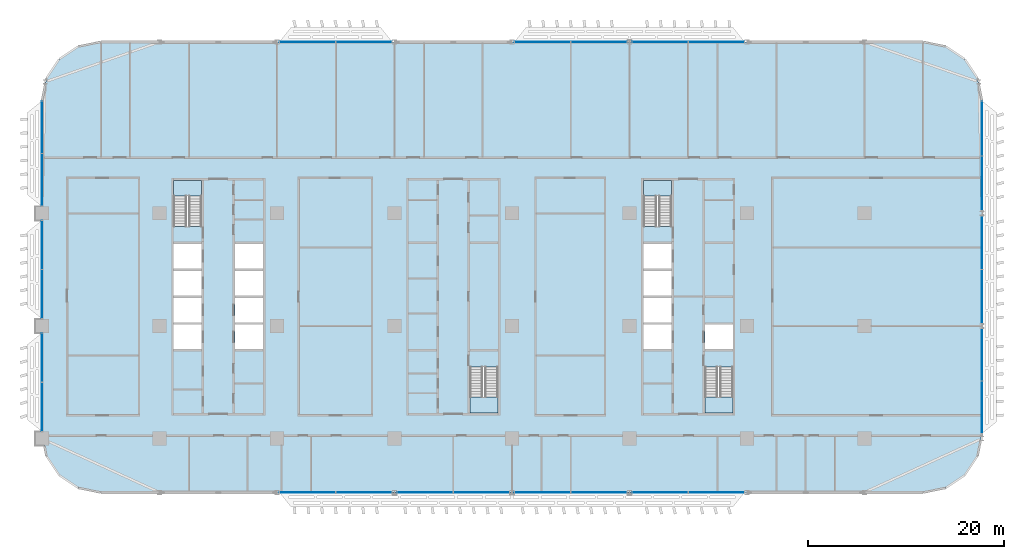
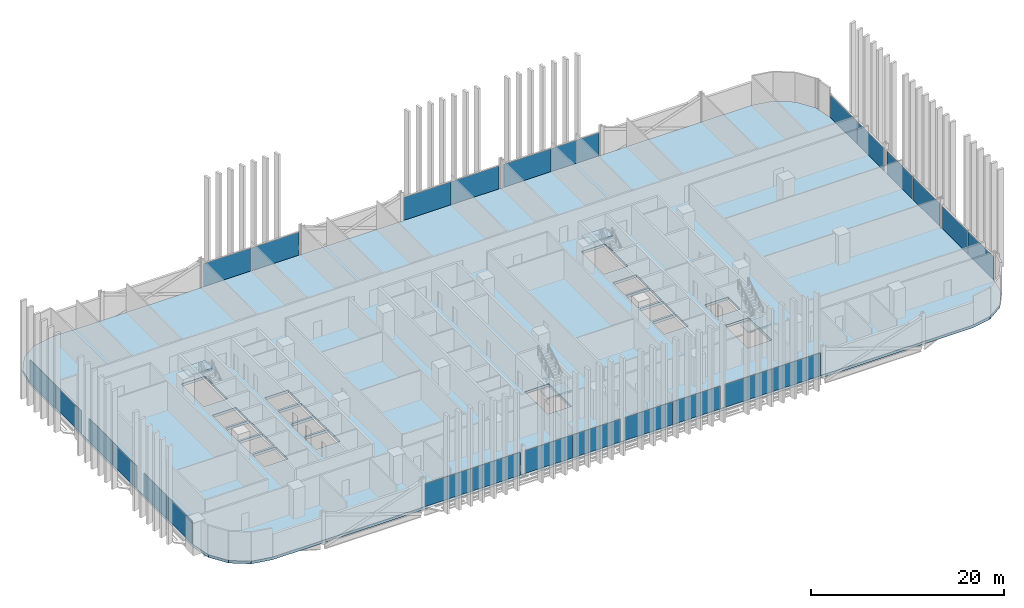
# One storey, part 11 of 31: 26 plates, 5 slabs, 17 elements without a shape of their own.
"""IFC4 building model written with IfcOpenShell, lengths in metres."""

from ifc_helpers import new_model, si_unit, direction, frame, origin, origin_2d, place, context, subcontext, project, spatial, polyline, rectangle, outline, extrude, material, layer, layer_set, type_object, element, aggregate, save


model = new_model("IFC4")

# Units and contexts
model_context = context("Model", 3, precision=1e-05, world=origin(), true_north=direction((0.0, 1.0)))
body_context = subcontext(model_context, "Body", "Model", "MODEL_VIEW")
ifc_project = project(units=[si_unit("LENGTHUNIT", "METRE"), si_unit("AREAUNIT", "SQUARE_METRE"), si_unit("VOLUMEUNIT", "CUBIC_METRE"), si_unit("PLANEANGLEUNIT", "RADIAN"), si_unit("MASSUNIT", "GRAM", prefix="KILO")], contexts=[model_context])

# Site, building, storey
site_placement = place(None, origin())
site = spatial("IfcSite", under=ifc_project, at=site_placement, CompositionType="ELEMENT")
building_placement = place(site_placement, origin())
building = spatial("IfcBuilding", under=site, at=building_placement, Name="Mahtab Terrace Research Tower", CompositionType="ELEMENT")
storey_placement = place(building_placement, frame((0.0, 0.0, 101.199951171875)))
storey = spatial("IfcBuildingStorey", under=building, at=storey_placement, Name="L23", CompositionType="ELEMENT", Elevation=101.199951171875)

# Stair, slab
ifc_material_1 = material(Name="Exit stair half-turn")
stair_type = type_object("IfcStairType", Name="Exit stair half-turn", PredefinedType="HALF_TURN_STAIR", material=ifc_material_1)
stair_1_placement = place(storey_placement, origin())
stair_1 = element("IfcStair", 1, at=stair_1_placement, inside=storey, type_object=stair_type, Name="L23 Protected exit stair ST1", PredefinedType="HALF_TURN_STAIR")
ifc_material_2 = material(Name="Concrete C40/50", Category="concrete")
ifc_layer_1 = layer(ifc_material_2, 0.199951171875)
ifc_layer_set_1 = layer_set([ifc_layer_1], Name="Exit stair landing 200")
slab_type_1 = type_object("IfcSlabType", Name="Exit stair landing 200", PredefinedType="LANDING", material=ifc_layer_set_1)
slab_1_placement = place(storey_placement, frame((0.0, 0.0, 1.85009765625)))
slab_1 = element("IfcSlab", 2, at=slab_1_placement, type_object=slab_type_1, Name="ST1 landing 1", PredefinedType="LANDING", context=body_context, shape_type="SweptSolid", body=[
    extrude(outline(polyline([(-25.699951171875, 13.2548828125), (-25.699951171875, 14.875), (-28.550048828125, 14.875), (-28.550048828125, 13.2548828125), (-25.699951171875, 13.2548828125)])), origin(), (0.0, 0.0, 1.0), 0.199951171875),
])
aggregate(stair_1, [slab_1])

stair_2_placement = place(storey_placement, origin())
stair_2 = element("IfcStair", 3, at=stair_2_placement, inside=storey, type_object=stair_type, Name="L23 Protected exit stair ST2", PredefinedType="HALF_TURN_STAIR")
slab_2_placement = place(storey_placement, frame((0.0, 0.0, 1.85009765625)))
slab_2 = element("IfcSlab", 4, at=slab_2_placement, type_object=slab_type_1, Name="ST2 landing 1", PredefinedType="LANDING", context=body_context, shape_type="SweptSolid", body=[
    extrude(outline(polyline([(1.699951171875, -7.2548828125), (1.699951171875, -8.875), (4.550048828125, -8.875), (4.550048828125, -7.2548828125), (1.699951171875, -7.2548828125)])), origin(), (0.0, 0.0, 1.0), 0.199951171875),
])
aggregate(stair_2, [slab_2])

stair_3_placement = place(storey_placement, origin())
stair_3 = element("IfcStair", 5, at=stair_3_placement, inside=storey, type_object=stair_type, Name="L23 Protected exit stair ST3", PredefinedType="HALF_TURN_STAIR")
slab_3_placement = place(storey_placement, frame((0.0, 0.0, 1.85009765625)))
slab_3 = element("IfcSlab", 6, at=slab_3_placement, type_object=slab_type_1, Name="ST3 landing 1", PredefinedType="LANDING", context=body_context, shape_type="SweptSolid", body=[
    extrude(outline(polyline([(22.300048828125, 13.2548828125), (22.300048828125, 14.875), (19.449951171875, 14.875), (19.449951171875, 13.2548828125), (22.300048828125, 13.2548828125)])), origin(), (0.0, 0.0, 1.0), 0.199951171875),
])
aggregate(stair_3, [slab_3])

stair_4_placement = place(storey_placement, origin())
stair_4 = element("IfcStair", 7, at=stair_4_placement, inside=storey, type_object=stair_type, Name="L23 Protected exit stair ST4", PredefinedType="HALF_TURN_STAIR")
slab_4_placement = place(storey_placement, frame((0.0, 0.0, 1.85009765625)))
slab_4 = element("IfcSlab", 8, at=slab_4_placement, type_object=slab_type_1, Name="ST4 landing 1", PredefinedType="LANDING", context=body_context, shape_type="SweptSolid", body=[
    extrude(outline(polyline([(25.699951171875, -7.2548828125), (25.699951171875, -8.875), (28.550048828125, -8.875), (28.550048828125, -7.2548828125), (25.699951171875, -7.2548828125)])), origin(), (0.0, 0.0, 1.0), 0.199951171875),
])
aggregate(stair_4, [slab_4])

# Curtain wall, plates
ifc_material_3 = material(Name="Laboratory ribbon curtain wall")
curtain_wall_type = type_object("IfcCurtainWallType", Name="Laboratory ribbon curtain wall", PredefinedType="NOTDEFINED", material=ifc_material_3)
curtain_wall_1_placement = place(storey_placement, origin())
curtain_wall_1 = element("IfcCurtainWall", 9, at=curtain_wall_1_placement, inside=storey, type_object=curtain_wall_type, Name="EN.L23.3.5", PredefinedType="NOTDEFINED")
ifc_material_4 = material(Name="Dark glazing", Category="glass")
ifc_layer_2 = layer(ifc_material_4, 0.031982421875)
ifc_layer_set_2 = layer_set([ifc_layer_2], Name="Laboratory ribbon curtain wall glazing panel")
plate_type = type_object("IfcPlateType", Name="Laboratory ribbon curtain wall glazing panel", PredefinedType="CURTAIN_PANEL", material=ifc_layer_set_2)
plate_1_placement = place(storey_placement, frame((26.86962890625, 29.0, 0.0), z_axis=(0.0, 0.0, 1.0), x_axis=(-1.0, 0.0, 0.0)))
plate_1 = element("IfcPlate", 10, at=plate_1_placement, type_object=plate_type, Name="CWL-3 panel 1", PredefinedType="CURTAIN_PANEL", context=body_context, shape_type="SweptSolid", body=[
    extrude(rectangle(XDim=5.674560546875, YDim=0.031982421875, at=origin_2d()), origin(), (0.0, 0.0, 1.0), 2.903076171875),
])
plate_2_placement = place(storey_placement, frame((21.13037109375, 29.0, 0.0), z_axis=(0.0, 0.0, 1.0), x_axis=(-1.0, 0.0, 0.0)))
plate_2 = element("IfcPlate", 11, at=plate_2_placement, type_object=plate_type, Name="CWL-3 panel 2", PredefinedType="CURTAIN_PANEL", context=body_context, shape_type="SweptSolid", body=[
    extrude(rectangle(XDim=5.674560546875, YDim=0.031982421875, at=origin_2d()), origin(), (0.0, 0.0, 1.0), 2.903076171875),
])
aggregate(curtain_wall_1, [plate_1, plate_2])

curtain_wall_2_placement = place(storey_placement, origin())
curtain_wall_2 = element("IfcCurtainWall", 12, at=curtain_wall_2_placement, inside=storey, type_object=curtain_wall_type, Name="EN.L23.3.6", PredefinedType="NOTDEFINED")
plate_3_placement = place(storey_placement, frame((14.86962890625, 29.0, 0.0), z_axis=(0.0, 0.0, 1.0), x_axis=(-1.0, 0.0, 0.0)))
plate_3 = element("IfcPlate", 13, at=plate_3_placement, type_object=plate_type, Name="CWL-3 panel 1", PredefinedType="CURTAIN_PANEL", context=body_context, shape_type="SweptSolid", body=[
    extrude(rectangle(XDim=5.674560546875, YDim=0.031982421875, at=origin_2d()), origin(), (0.0, 0.0, 1.0), 2.903076171875),
])
plate_4_placement = place(storey_placement, frame((9.13037109375, 29.0, 0.0), z_axis=(0.0, 0.0, 1.0), x_axis=(-1.0, 0.0, 0.0)))
plate_4 = element("IfcPlate", 14, at=plate_4_placement, type_object=plate_type, Name="CWL-3 panel 2", PredefinedType="CURTAIN_PANEL", context=body_context, shape_type="SweptSolid", body=[
    extrude(rectangle(XDim=5.674560546875, YDim=0.031982421875, at=origin_2d()), origin(), (0.0, 0.0, 1.0), 2.903076171875),
])
aggregate(curtain_wall_2, [plate_3, plate_4])

curtain_wall_3_placement = place(storey_placement, origin())
curtain_wall_3 = element("IfcCurtainWall", 15, at=curtain_wall_3_placement, inside=storey, type_object=curtain_wall_type, Name="EN.L23.3.8", PredefinedType="NOTDEFINED")
plate_5_placement = place(storey_placement, frame((-9.13037109375, 29.0, 0.0), z_axis=(0.0, 0.0, 1.0), x_axis=(-1.0, 0.0, 0.0)))
plate_5 = element("IfcPlate", 16, at=plate_5_placement, type_object=plate_type, Name="CWL-3 panel 1", PredefinedType="CURTAIN_PANEL", context=body_context, shape_type="SweptSolid", body=[
    extrude(rectangle(XDim=5.674560546875, YDim=0.031982421875, at=origin_2d()), origin(), (0.0, 0.0, 1.0), 2.903076171875),
])
plate_6_placement = place(storey_placement, frame((-14.86962890625, 29.0, 0.0), z_axis=(0.0, 0.0, 1.0), x_axis=(-1.0, 0.0, 0.0)))
plate_6 = element("IfcPlate", 17, at=plate_6_placement, type_object=plate_type, Name="CWL-3 panel 2", PredefinedType="CURTAIN_PANEL", context=body_context, shape_type="SweptSolid", body=[
    extrude(rectangle(XDim=5.674560546875, YDim=0.031982421875, at=origin_2d()), origin(), (0.0, 0.0, 1.0), 2.903076171875),
])
aggregate(curtain_wall_3, [plate_5, plate_6])

curtain_wall_4_placement = place(storey_placement, origin())
curtain_wall_4 = element("IfcCurtainWall", 18, at=curtain_wall_4_placement, inside=storey, type_object=curtain_wall_type, Name="EN.L23.8.16", PredefinedType="NOTDEFINED")
plate_7_placement = place(storey_placement, frame((-42.0, 20.28369140625, 0.0), z_axis=(0.0, 0.0, 1.0), x_axis=(0.0, -1.0, 0.0)))
plate_7 = element("IfcPlate", 19, at=plate_7_placement, type_object=plate_type, Name="CWL-3 panel 1", PredefinedType="CURTAIN_PANEL", context=body_context, shape_type="SweptSolid", body=[
    extrude(rectangle(XDim=5.302490234375, YDim=0.031982421875, at=origin_2d()), origin(), (0.0, 0.0, 1.0), 2.903076171875),
])
plate_8_placement = place(storey_placement, frame((-42.0, 14.916259765625, 0.0), z_axis=(0.0, 0.0, 1.0), x_axis=(0.0, -1.0, 0.0)))
plate_8 = element("IfcPlate", 20, at=plate_8_placement, type_object=plate_type, Name="CWL-3 panel 2", PredefinedType="CURTAIN_PANEL", context=body_context, shape_type="SweptSolid", body=[
    extrude(rectangle(XDim=5.302490234375, YDim=0.031982421875, at=origin_2d()), origin(), (0.0, 0.0, 1.0), 2.903076171875),
])
aggregate(curtain_wall_4, [plate_7, plate_8])

curtain_wall_5_placement = place(storey_placement, origin())
curtain_wall_5 = element("IfcCurtainWall", 21, at=curtain_wall_5_placement, inside=storey, type_object=curtain_wall_type, Name="EN.L23.8.17", PredefinedType="NOTDEFINED")
plate_9_placement = place(storey_placement, frame((-42.0, 8.2587890625, 0.0), z_axis=(0.0, 0.0, 1.0), x_axis=(0.0, -1.0, 0.0)))
plate_9 = element("IfcPlate", 22, at=plate_9_placement, type_object=plate_type, Name="CWL-3 panel 1", PredefinedType="CURTAIN_PANEL", context=body_context, shape_type="SweptSolid", body=[
    extrude(rectangle(XDim=4.952392578125, YDim=0.031982421875, at=origin_2d()), origin(), (0.0, 0.0, 1.0), 2.903076171875),
])
plate_10_placement = place(storey_placement, frame((-42.0, 3.2412109375, 0.0), z_axis=(0.0, 0.0, 1.0), x_axis=(0.0, -1.0, 0.0)))
plate_10 = element("IfcPlate", 23, at=plate_10_placement, type_object=plate_type, Name="CWL-3 panel 2", PredefinedType="CURTAIN_PANEL", context=body_context, shape_type="SweptSolid", body=[
    extrude(rectangle(XDim=4.952392578125, YDim=0.031982421875, at=origin_2d()), origin(), (0.0, 0.0, 1.0), 2.903076171875),
])
aggregate(curtain_wall_5, [plate_9, plate_10])

curtain_wall_6_placement = place(storey_placement, origin())
curtain_wall_6 = element("IfcCurtainWall", 24, at=curtain_wall_6_placement, inside=storey, type_object=curtain_wall_type, Name="EN.L23.8.18", PredefinedType="NOTDEFINED")
plate_11_placement = place(storey_placement, frame((-42.0, -3.2412109375, 0.0), z_axis=(0.0, 0.0, 1.0), x_axis=(0.0, -1.0, 0.0)))
plate_11 = element("IfcPlate", 25, at=plate_11_placement, type_object=plate_type, Name="CWL-3 panel 1", PredefinedType="CURTAIN_PANEL", context=body_context, shape_type="SweptSolid", body=[
    extrude(rectangle(XDim=4.952392578125, YDim=0.031982421875, at=origin_2d()), origin(), (0.0, 0.0, 1.0), 2.903076171875),
])
plate_12_placement = place(storey_placement, frame((-42.0, -8.2587890625, 0.0), z_axis=(0.0, 0.0, 1.0), x_axis=(0.0, -1.0, 0.0)))
plate_12 = element("IfcPlate", 26, at=plate_12_placement, type_object=plate_type, Name="CWL-3 panel 2", PredefinedType="CURTAIN_PANEL", context=body_context, shape_type="SweptSolid", body=[
    extrude(rectangle(XDim=4.952392578125, YDim=0.031982421875, at=origin_2d()), origin(), (0.0, 0.0, 1.0), 2.903076171875),
])
aggregate(curtain_wall_6, [plate_11, plate_12])

curtain_wall_7_placement = place(storey_placement, origin())
curtain_wall_7 = element("IfcCurtainWall", 27, at=curtain_wall_7_placement, inside=storey, type_object=curtain_wall_type, Name="EN.L23.13.25", PredefinedType="NOTDEFINED")
plate_13_placement = place(storey_placement, frame((-14.86962890625, -17.0, 0.0), z_axis=(0.0, 0.0, 1.0), x_axis=(1.0, 0.0, 0.0)))
plate_13 = element("IfcPlate", 28, at=plate_13_placement, type_object=plate_type, Name="CWL-3 panel 1", PredefinedType="CURTAIN_PANEL", context=body_context, shape_type="SweptSolid", body=[
    extrude(rectangle(XDim=5.674560546875, YDim=0.031982421875, at=origin_2d()), origin(), (0.0, 0.0, 1.0), 2.903076171875),
])
plate_14_placement = place(storey_placement, frame((-9.13037109375, -17.0, 0.0), z_axis=(0.0, 0.0, 1.0), x_axis=(1.0, 0.0, 0.0)))
plate_14 = element("IfcPlate", 29, at=plate_14_placement, type_object=plate_type, Name="CWL-3 panel 2", PredefinedType="CURTAIN_PANEL", context=body_context, shape_type="SweptSolid", body=[
    extrude(rectangle(XDim=5.674560546875, YDim=0.031982421875, at=origin_2d()), origin(), (0.0, 0.0, 1.0), 2.903076171875),
])
aggregate(curtain_wall_7, [plate_13, plate_14])

curtain_wall_8_placement = place(storey_placement, origin())
curtain_wall_8 = element("IfcCurtainWall", 30, at=curtain_wall_8_placement, inside=storey, type_object=curtain_wall_type, Name="EN.L23.13.26", PredefinedType="NOTDEFINED")
plate_15_placement = place(storey_placement, frame((-2.86962890625, -17.0, 0.0), z_axis=(0.0, 0.0, 1.0), x_axis=(1.0, 0.0, 0.0)))
plate_15 = element("IfcPlate", 31, at=plate_15_placement, type_object=plate_type, Name="CWL-3 panel 1", PredefinedType="CURTAIN_PANEL", context=body_context, shape_type="SweptSolid", body=[
    extrude(rectangle(XDim=5.674560546875, YDim=0.031982421875, at=origin_2d()), origin(), (0.0, 0.0, 1.0), 2.903076171875),
])
plate_16_placement = place(storey_placement, frame((2.86962890625, -17.0, 0.0), z_axis=(0.0, 0.0, 1.0), x_axis=(1.0, 0.0, 0.0)))
plate_16 = element("IfcPlate", 32, at=plate_16_placement, type_object=plate_type, Name="CWL-3 panel 2", PredefinedType="CURTAIN_PANEL", context=body_context, shape_type="SweptSolid", body=[
    extrude(rectangle(XDim=5.674560546875, YDim=0.031982421875, at=origin_2d()), origin(), (0.0, 0.0, 1.0), 2.903076171875),
])
aggregate(curtain_wall_8, [plate_15, plate_16])

curtain_wall_9_placement = place(storey_placement, origin())
curtain_wall_9 = element("IfcCurtainWall", 33, at=curtain_wall_9_placement, inside=storey, type_object=curtain_wall_type, Name="EN.L23.13.27", PredefinedType="NOTDEFINED")
plate_17_placement = place(storey_placement, frame((9.13037109375, -17.0, 0.0), z_axis=(0.0, 0.0, 1.0), x_axis=(1.0, 0.0, 0.0)))
plate_17 = element("IfcPlate", 34, at=plate_17_placement, type_object=plate_type, Name="CWL-3 panel 1", PredefinedType="CURTAIN_PANEL", context=body_context, shape_type="SweptSolid", body=[
    extrude(rectangle(XDim=5.674560546875, YDim=0.031982421875, at=origin_2d()), origin(), (0.0, 0.0, 1.0), 2.903076171875),
])
plate_18_placement = place(storey_placement, frame((14.86962890625, -17.0, 0.0), z_axis=(0.0, 0.0, 1.0), x_axis=(1.0, 0.0, 0.0)))
plate_18 = element("IfcPlate", 35, at=plate_18_placement, type_object=plate_type, Name="CWL-3 panel 2", PredefinedType="CURTAIN_PANEL", context=body_context, shape_type="SweptSolid", body=[
    extrude(rectangle(XDim=5.674560546875, YDim=0.031982421875, at=origin_2d()), origin(), (0.0, 0.0, 1.0), 2.903076171875),
])
aggregate(curtain_wall_9, [plate_17, plate_18])

curtain_wall_10_placement = place(storey_placement, origin())
curtain_wall_10 = element("IfcCurtainWall", 36, at=curtain_wall_10_placement, inside=storey, type_object=curtain_wall_type, Name="EN.L23.13.28", PredefinedType="NOTDEFINED")
plate_19_placement = place(storey_placement, frame((21.13037109375, -17.0, 0.0), z_axis=(0.0, 0.0, 1.0), x_axis=(1.0, 0.0, 0.0)))
plate_19 = element("IfcPlate", 37, at=plate_19_placement, type_object=plate_type, Name="CWL-3 panel 1", PredefinedType="CURTAIN_PANEL", context=body_context, shape_type="SweptSolid", body=[
    extrude(rectangle(XDim=5.674560546875, YDim=0.031982421875, at=origin_2d()), origin(), (0.0, 0.0, 1.0), 2.903076171875),
])
plate_20_placement = place(storey_placement, frame((26.86962890625, -17.0, 0.0), z_axis=(0.0, 0.0, 1.0), x_axis=(1.0, 0.0, 0.0)))
plate_20 = element("IfcPlate", 38, at=plate_20_placement, type_object=plate_type, Name="CWL-3 panel 2", PredefinedType="CURTAIN_PANEL", context=body_context, shape_type="SweptSolid", body=[
    extrude(rectangle(XDim=5.674560546875, YDim=0.031982421875, at=origin_2d()), origin(), (0.0, 0.0, 1.0), 2.903076171875),
])
aggregate(curtain_wall_10, [plate_19, plate_20])

curtain_wall_11_placement = place(storey_placement, origin())
curtain_wall_11 = element("IfcCurtainWall", 39, at=curtain_wall_11_placement, inside=storey, type_object=curtain_wall_type, Name="EN.L23.18.36", PredefinedType="NOTDEFINED")
plate_21_placement = place(storey_placement, frame((54.0, -8.290771484375, 0.0), z_axis=(0.0, 0.0, 1.0), x_axis=(0.0, 1.0, 0.0)))
plate_21 = element("IfcPlate", 40, at=plate_21_placement, type_object=plate_type, Name="CWL-3 panel 1", PredefinedType="CURTAIN_PANEL", context=body_context, shape_type="SweptSolid", body=[
    extrude(rectangle(XDim=5.28857421875, YDim=0.031982421875, at=origin_2d()), origin(), (0.0, 0.0, 1.0), 2.903076171875),
])
plate_22_placement = place(storey_placement, frame((54.0, -2.937255859375, 0.0), z_axis=(0.0, 0.0, 1.0), x_axis=(0.0, 1.0, 0.0)))
plate_22 = element("IfcPlate", 41, at=plate_22_placement, type_object=plate_type, Name="CWL-3 panel 2", PredefinedType="CURTAIN_PANEL", context=body_context, shape_type="SweptSolid", body=[
    extrude(rectangle(XDim=5.28857421875, YDim=0.031982421875, at=origin_2d()), origin(), (0.0, 0.0, 1.0), 2.903076171875),
])
aggregate(curtain_wall_11, [plate_21, plate_22])

curtain_wall_12_placement = place(storey_placement, origin())
curtain_wall_12 = element("IfcCurtainWall", 42, at=curtain_wall_12_placement, inside=storey, type_object=curtain_wall_type, Name="EN.L23.18.37", PredefinedType="NOTDEFINED")
plate_23_placement = place(storey_placement, frame((54.0, 3.00537109375, 0.0), z_axis=(0.0, 0.0, 1.0), x_axis=(0.0, 1.0, 0.0)))
plate_23 = element("IfcPlate", 43, at=plate_23_placement, type_object=plate_type, Name="CWL-3 panel 1", PredefinedType="CURTAIN_PANEL", context=body_context, shape_type="SweptSolid", body=[
    extrude(rectangle(XDim=5.424560546875, YDim=0.031982421875, at=origin_2d()), origin(), (0.0, 0.0, 1.0), 2.903076171875),
])
plate_24_placement = place(storey_placement, frame((54.0, 8.49462890625, 0.0), z_axis=(0.0, 0.0, 1.0), x_axis=(0.0, 1.0, 0.0)))
plate_24 = element("IfcPlate", 44, at=plate_24_placement, type_object=plate_type, Name="CWL-3 panel 2", PredefinedType="CURTAIN_PANEL", context=body_context, shape_type="SweptSolid", body=[
    extrude(rectangle(XDim=5.424560546875, YDim=0.031982421875, at=origin_2d()), origin(), (0.0, 0.0, 1.0), 2.903076171875),
])
aggregate(curtain_wall_12, [plate_23, plate_24])

curtain_wall_13_placement = place(storey_placement, origin())
curtain_wall_13 = element("IfcCurtainWall", 45, at=curtain_wall_13_placement, inside=storey, type_object=curtain_wall_type, Name="EN.L23.18.38", PredefinedType="NOTDEFINED")
plate_25_placement = place(storey_placement, frame((54.0, 14.562255859375, 0.0), z_axis=(0.0, 0.0, 1.0), x_axis=(0.0, 1.0, 0.0)))
plate_25 = element("IfcPlate", 46, at=plate_25_placement, type_object=plate_type, Name="CWL-3 panel 1", PredefinedType="CURTAIN_PANEL", context=body_context, shape_type="SweptSolid", body=[
    extrude(rectangle(XDim=5.53857421875, YDim=0.031982421875, at=origin_2d()), origin(), (0.0, 0.0, 1.0), 2.903076171875),
])
plate_26_placement = place(storey_placement, frame((54.0, 20.165771484375, 0.0), z_axis=(0.0, 0.0, 1.0), x_axis=(0.0, 1.0, 0.0)))
plate_26 = element("IfcPlate", 47, at=plate_26_placement, type_object=plate_type, Name="CWL-3 panel 2", PredefinedType="CURTAIN_PANEL", context=body_context, shape_type="SweptSolid", body=[
    extrude(rectangle(XDim=5.53857421875, YDim=0.031982421875, at=origin_2d()), origin(), (0.0, 0.0, 1.0), 2.903076171875),
])
aggregate(curtain_wall_13, [plate_25, plate_26])

# Slab
ifc_layer_3 = layer(ifc_material_2, 0.340087890625)
ifc_layer_set_3 = layer_set([ifc_layer_3], Name="PT flat slab 340")
slab_type_2 = type_object("IfcSlabType", Name="PT flat slab 340", PredefinedType="FLOOR", material=ifc_layer_set_3)
slab_5_placement = place(storey_placement, frame((0.0, 0.0, -0.33984375)))
element("IfcSlab", 48, at=slab_5_placement, inside=storey, type_object=slab_type_2, Name="Floor slab L23", PredefinedType="FLOOR", context=body_context, shape_type="SweptSolid", body=[
    extrude(outline(polyline([(53.54296875, 25.2958984375), (52.242919921875, 27.242919921875), (50.2958984375, 28.54296875), (48.0, 29.0), (-36.0, 29.0), (-38.2958984375, 28.54296875), (-40.242919921875, 27.242919921875), (-41.54296875, 25.2958984375), (-42.0, 23.0), (-42.0, -11.0), (-41.54296875, -13.2958984375), (-40.242919921875, -15.242919921875), (-38.2958984375, -16.54296875), (-36.0, -17.0), (48.0, -17.0), (50.2958984375, -16.54296875), (52.242919921875, -15.242919921875), (53.54296875, -13.2958984375), (54.0, -11.0), (54.0, 23.0), (53.54296875, 25.2958984375)]), holes=[polyline([(-28.550048828125, -2.375), (-28.550048828125, 0.125), (-25.699951171875, 0.125), (-25.699951171875, -2.375), (-28.550048828125, -2.375)]), polyline([(-22.300048828125, -2.375), (-22.300048828125, 0.125), (-19.449951171875, 0.125), (-19.449951171875, -2.375), (-22.300048828125, -2.375)]), polyline([(-28.550048828125, 0.375), (-28.550048828125, 2.875), (-25.699951171875, 2.875), (-25.699951171875, 0.375), (-28.550048828125, 0.375)]), polyline([(-22.300048828125, 0.375), (-22.300048828125, 2.875), (-19.449951171875, 2.875), (-19.449951171875, 0.375), (-22.300048828125, 0.375)]), polyline([(-28.550048828125, 3.125), (-28.550048828125, 5.625), (-25.699951171875, 5.625), (-25.699951171875, 3.125), (-28.550048828125, 3.125)]), polyline([(-22.300048828125, 3.125), (-22.300048828125, 5.625), (-19.449951171875, 5.625), (-19.449951171875, 3.125), (-22.300048828125, 3.125)]), polyline([(-28.550048828125, 5.875), (-28.550048828125, 8.375), (-25.699951171875, 8.375), (-25.699951171875, 5.875), (-28.550048828125, 5.875)]), polyline([(-22.300048828125, 5.875), (-22.300048828125, 8.375), (-19.449951171875, 8.375), (-19.449951171875, 5.875), (-22.300048828125, 5.875)]), polyline([(-28.550048828125, 10.177001953125), (-28.550048828125, 14.875), (-25.699951171875, 14.875), (-25.699951171875, 10.177001953125), (-28.550048828125, 10.177001953125)]), polyline([(1.699951171875, -8.875), (1.699951171875, -4.177001953125), (4.550048828125, -4.177001953125), (4.550048828125, -8.875), (1.699951171875, -8.875)]), polyline([(25.699951171875, -8.875), (25.699951171875, -4.177001953125), (28.550048828125, -4.177001953125), (28.550048828125, -8.875), (25.699951171875, -8.875)]), polyline([(19.449951171875, -2.375), (19.449951171875, 0.125), (22.300048828125, 0.125), (22.300048828125, -2.375), (19.449951171875, -2.375)]), polyline([(25.699951171875, -2.375), (25.699951171875, 0.125), (28.550048828125, 0.125), (28.550048828125, -2.375), (25.699951171875, -2.375)]), polyline([(19.449951171875, 0.375), (19.449951171875, 2.875), (22.300048828125, 2.875), (22.300048828125, 0.375), (19.449951171875, 0.375)]), polyline([(19.449951171875, 3.125), (19.449951171875, 5.625), (22.300048828125, 5.625), (22.300048828125, 3.125), (19.449951171875, 3.125)]), polyline([(19.449951171875, 8.375), (22.300048828125, 8.375), (22.300048828125, 5.875), (19.449951171875, 5.875), (19.449951171875, 8.375)]), polyline([(19.449951171875, 14.875), (22.300048828125, 14.875), (22.300048828125, 10.177001953125), (19.449951171875, 10.177001953125), (19.449951171875, 14.875)])]), origin(), (0.0, 0.0, 1.0), 0.33984375),
])

save(model, "model.ifc")
